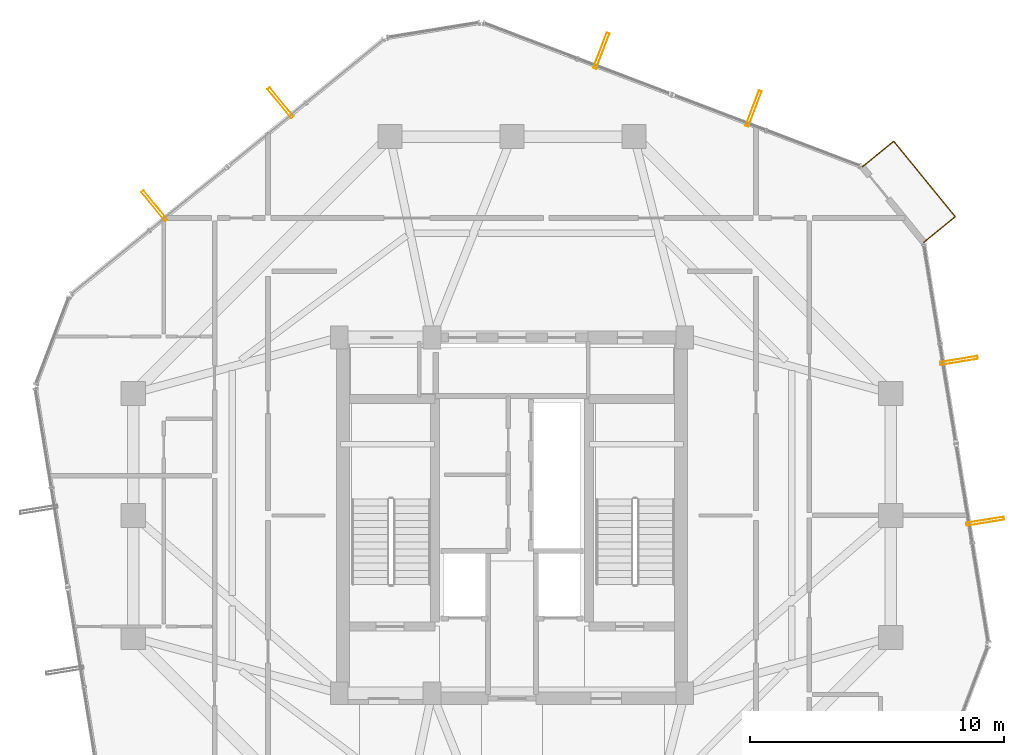
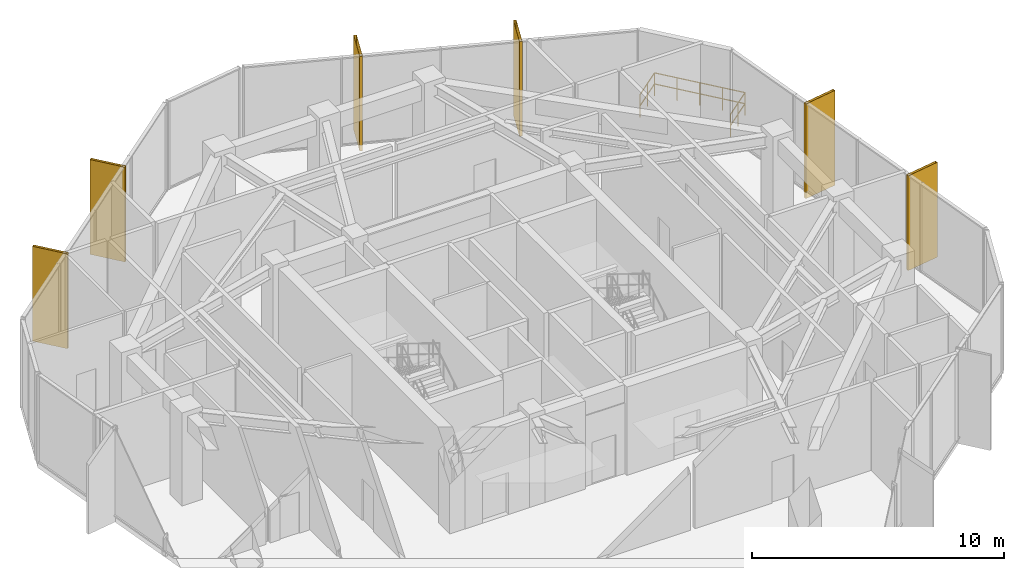
# One storey, part 22 of 22: 6 shading devices, 1 railing.
"""IFC4 building model written with IfcOpenShell, lengths in metres."""

from ifc_helpers import new_model, si_unit, direction, frame, origin, origin_2d, place, context, subcontext, project, spatial, hollow_rectangle, circle, extrude, material, material_profile, profile_set, type_object, element, save


model = new_model("IFC4")

# Units and contexts
model_context = context("Model", 3, precision=1e-05, world=origin(), true_north=direction((0.0, 1.0)))
body_context = subcontext(model_context, "Body", "Model", "MODEL_VIEW")
ifc_project = project(units=[si_unit("LENGTHUNIT", "METRE"), si_unit("AREAUNIT", "SQUARE_METRE"), si_unit("VOLUMEUNIT", "CUBIC_METRE"), si_unit("PLANEANGLEUNIT", "RADIAN"), si_unit("MASSUNIT", "GRAM", prefix="KILO")], contexts=[model_context])

# Site, building, storey
site_placement = place(None, origin())
site = spatial("IfcSite", under=ifc_project, at=site_placement, CompositionType="ELEMENT")
building_placement = place(site_placement, origin())
building = spatial("IfcBuilding", under=site, at=building_placement, Name="Veraguas Prism Commons", CompositionType="ELEMENT")
storey_placement = place(building_placement, frame((0.0, 0.0, 174.35009765625)))
storey = spatial("IfcBuildingStorey", under=building, at=storey_placement, Name="L49", CompositionType="ELEMENT", Elevation=174.35009765625)

# Shading devices
ifc_material_1 = material(Name="Anodised aluminium EN AW-6063 T6", Category="aluminium")
ifc_material_profile = material_profile(ifc_material_1, hollow_rectangle(XDim=0.1201171875, YDim=1.489990234375, WallThickness=0.006103515625, at=origin_2d()), Name="FIN120X1490X6")
ifc_profile_set = profile_set([ifc_material_profile], Name="Anodised aluminium EN AW-6063 T6")
shading_device_type = type_object("IfcShadingDeviceType", Name="Deep Pale-Metal Vertical Solar Fin 120x1490", PredefinedType="USERDEFINED", material=ifc_profile_set)
for number, where, z_axis, x_axis, name in (
    (1, (33.506591796875, 40.002197265625, -0.300048828125), (0.0, 0.0, 1.0), (-0.934825056616, 0.355108593986, 0.0), "Vertical Pale-Metal Solar Fin L49-F1A"),
    (2, (27.515380859375, 42.2783203125, -0.300048828125), (0.0, 0.0, 1.0), (-0.934825056616, 0.355108593986, 0.0), "Vertical Pale-Metal Solar Fin L49-F1B"),
    (3, (14.89501953125, 40.234130859375, -0.300048828125), (0.0, 0.0, 1.0), (-0.774943385604, -0.632030655197, 0.0), "Vertical Pale-Metal Solar Fin L49-F2A"),
    (4, (9.92822265625, 36.183349609375, -0.300048828125), (0.0, 0.0, 1.0), (-0.774943385604, -0.632030655197, 0.0), "Vertical Pale-Metal Solar Fin L49-F2B"),
    (5, (42.61181640625, 23.768310546875, -0.300048828125), (0.0, 0.0, 1.0), (-0.159876019056, 0.987137102195, 0.0), "Vertical Pale-Metal Solar Fin L49-F6A"),
    (6, (41.5869140625, 30.0947265625, -0.300048828125), (0.0, 0.0, 1.0), (-0.159876019056, 0.987137102195, 0.0), "Vertical Pale-Metal Solar Fin L49-F6B"),
):
    element("IfcShadingDevice", number, at=place(storey_placement, frame(where, z_axis=z_axis, x_axis=x_axis)), inside=storey, type_object=shading_device_type, Name=name, ObjectType="FIN", PredefinedType="USERDEFINED", context=body_context, shape_type="SweptSolid", body=[
        extrude(hollow_rectangle(XDim=0.1201171875, YDim=1.489990234375, WallThickness=0.006103515625, at=origin_2d()), origin(), (0.0, 0.0, 1.0), 4.5849609375),
    ])

# Railing
ifc_material_2 = material(Name="Stainless steel AISI 316", Category="steel")
railing_type = type_object("IfcRailingType", Name="Loggia and Sky Pool Glazed Balustrade 1120", PredefinedType="BALUSTRADE", material=ifc_material_2)
railing_placement = place(storey_placement, frame((40.20166015625, 34.73974609375, 0.0)))
element("IfcRailing", 7, at=railing_placement, inside=storey, type_object=railing_type, Name="Recessed Corner Loggia L49-C1 Guard", PredefinedType="BALUSTRADE", context=body_context, shape_type="SweptSolid", body=[
    extrude(circle(Radius=0.02392578125, at=origin_2d()), frame((0.0, 0.0, 1.09619140625), z_axis=(0.774908292943, 0.632073680459, 0.0), x_axis=(-0.632073680459, 0.774908292943, 0.0)), (0.0, 0.0, 1.0), 1.599853515625),
    extrude(circle(Radius=0.02392578125, at=origin_2d()), frame((0.0, 0.0, 0.56005859375), z_axis=(0.774908292943, 0.632073680459, 0.0), x_axis=(-0.632073680459, 0.774908292943, 0.0)), (0.0, 0.0, 1.0), 1.599853515625),
    extrude(circle(Radius=0.02392578125, at=origin_2d()), frame((1.23974609375, 1.01123046875, 1.09619140625), z_axis=(-0.632013036831, 0.77495775451, 0.0), x_axis=(-0.77495775451, -0.632013036831, 0.0)), (0.0, 0.0, 1.0), 3.834228515625),
    extrude(circle(Radius=0.02392578125, at=origin_2d()), frame((1.23974609375, 1.01123046875, 0.56005859375), z_axis=(-0.632013036831, 0.77495775451, 0.0), x_axis=(-0.77495775451, -0.632013036831, 0.0)), (0.0, 0.0, 1.0), 3.834228515625),
    extrude(circle(Radius=0.02392578125, at=origin_2d()), frame((-1.18359375, 3.982666015625, 1.09619140625), z_axis=(-0.774969248877, -0.631998942479, 0.0), x_axis=(0.631998942479, -0.774969248877, 0.0)), (0.0, 0.0, 1.0), 1.60009765625),
    extrude(circle(Radius=0.02392578125, at=origin_2d()), frame((-1.18359375, 3.982666015625, 0.56005859375), z_axis=(-0.774969248877, -0.631998942479, 0.0), x_axis=(0.631998942479, -0.774969248877, 0.0)), (0.0, 0.0, 1.0), 1.60009765625),
    extrude(circle(Radius=0.02099609375, at=origin_2d()), origin(), (0.0, 0.0, 1.0), 1.072021484375),
    extrude(circle(Radius=0.02099609375, at=origin_2d()), frame((0.619873046875, 0.505615234375, 0.0)), (0.0, 0.0, 1.0), 1.072021484375),
    extrude(circle(Radius=0.02099609375, at=origin_2d()), frame((1.23974609375, 1.01123046875, 0.0)), (0.0, 0.0, 1.0), 1.072021484375),
    extrude(circle(Radius=0.02099609375, at=origin_2d()), frame((0.6337890625, 1.754150390625, 0.0)), (0.0, 0.0, 1.0), 1.072021484375),
    extrude(circle(Radius=0.02099609375, at=origin_2d()), frame((0.028076171875, 2.4970703125, 0.0)), (0.0, 0.0, 1.0), 1.072021484375),
    extrude(circle(Radius=0.02099609375, at=origin_2d()), frame((-0.57763671875, 3.23974609375, 0.0)), (0.0, 0.0, 1.0), 1.072021484375),
    extrude(circle(Radius=0.02099609375, at=origin_2d()), frame((-1.18359375, 3.982666015625, 0.0)), (0.0, 0.0, 1.0), 1.072021484375),
    extrude(circle(Radius=0.02099609375, at=origin_2d()), frame((-1.8037109375, 3.47705078125, 0.0)), (0.0, 0.0, 1.0), 1.072021484375),
    extrude(circle(Radius=0.02099609375, at=origin_2d()), frame((-2.423583984375, 2.971435546875, 0.0)), (0.0, 0.0, 1.0), 1.072021484375),
])

save(model, "model.ifc")
